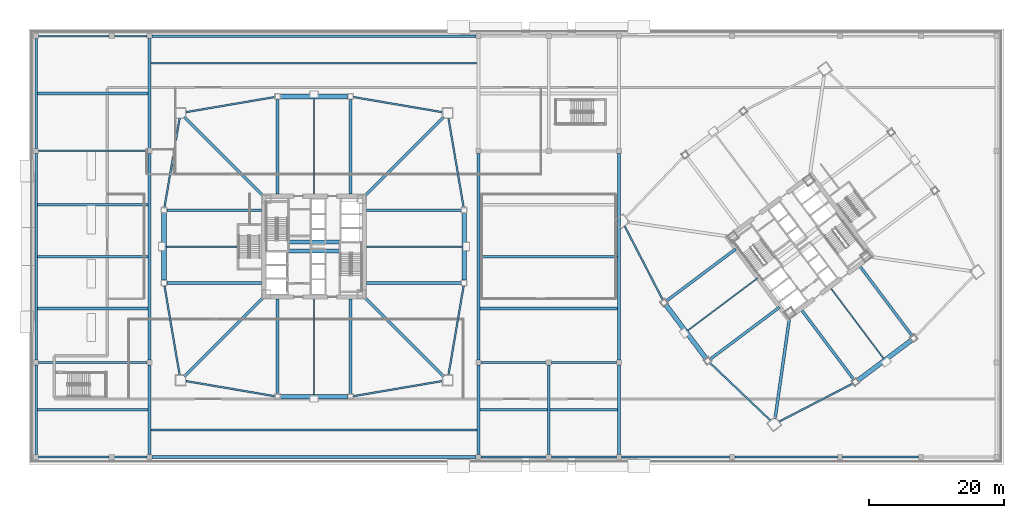
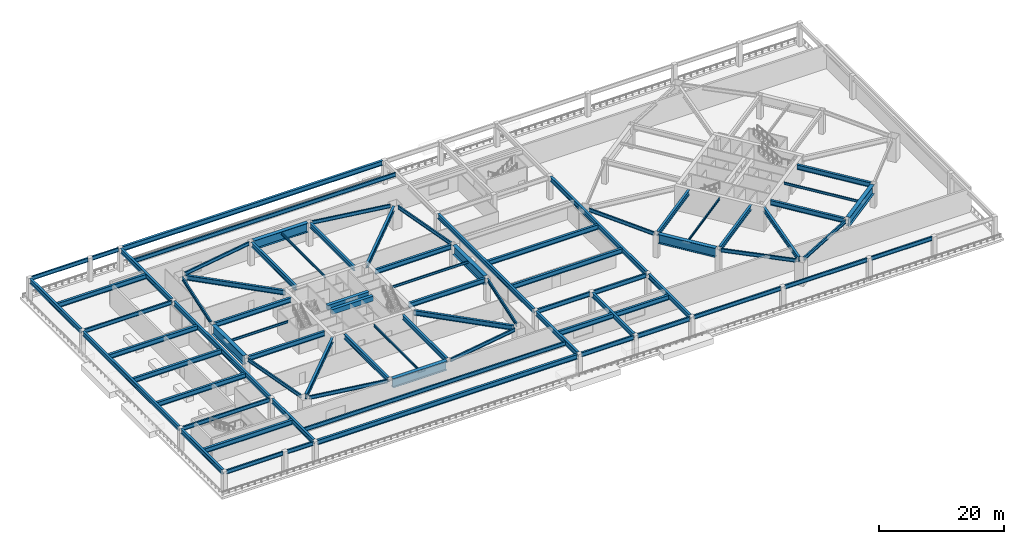
# One storey, part 3 of 21: 78 beams.
"""IFC4 building model written with IfcOpenShell, lengths in metres."""

from ifc_helpers import new_model, si_unit, direction, frame, origin, origin_2d, place, context, subcontext, project, spatial, rectangle, i_section, extrude, material, material_profile, profile_set, type_object, element, save


model = new_model("IFC4")

# Units and contexts
model_context = context("Model", 3, precision=1e-05, world=origin(), true_north=direction((0.0, 1.0)))
body_context = subcontext(model_context, "Body", "Model", "MODEL_VIEW")
ifc_project = project(units=[si_unit("LENGTHUNIT", "METRE"), si_unit("AREAUNIT", "SQUARE_METRE"), si_unit("VOLUMEUNIT", "CUBIC_METRE"), si_unit("PLANEANGLEUNIT", "RADIAN"), si_unit("MASSUNIT", "GRAM", prefix="KILO")], contexts=[model_context])

# Site, building, storey
site_placement = place(None, origin())
site = spatial("IfcSite", under=ifc_project, at=site_placement, CompositionType="ELEMENT")
building_placement = place(site_placement, origin())
building = spatial("IfcBuilding", under=site, at=building_placement, Name="Tashvorn Skyway Center", CompositionType="ELEMENT")
storey_placement = place(building_placement, frame((0.0, 0.0, 19.800048828125)))
storey = spatial("IfcBuildingStorey", under=building, at=storey_placement, Name="L04", CompositionType="ELEMENT", Elevation=19.800048828125)

# Beams
ifc_material_1 = material(Name="Steel ASTM A572 Grade 50", Category="steel")
ifc_material_profile_1 = material_profile(ifc_material_1, i_section(OverallWidth=0.699951171875, OverallDepth=1.800048828125, WebThickness=0.031982421875, FlangeThickness=0.050048828125, at=origin_2d()), Name="PG1800x700")
ifc_profile_set_1 = profile_set([ifc_material_profile_1], Name="Steel ASTM A572 Grade 50")
beam_type_1 = type_object("IfcBeamType", Name="BM-BEAM-PG1800x700", PredefinedType="BEAM", material=ifc_profile_set_1)
for number, where, z_axis, x_axis, name in (
    (1, (37.02001953125, 9.75, 3.699951171875), (1.0, 0.0, 0.0), (0.0, 1.0, 0.0), "Tower 1 L04 Spandrel Beam 02"),
    (2, (64.25, 27.02001953125, 3.699951171875), (0.0, 1.0, 0.0), (-1.0, 0.0, 0.0), "Tower 1 L04 Spandrel Beam 05"),
    (3, (46.97998046875, 54.25, 3.699951171875), (-1.0, 0.0, 0.0), (0.0, -1.0, 0.0), "Tower 1 L04 Spandrel Beam 08"),
    (4, (19.75, 36.97998046875, 3.699951171875), (0.0, -1.0, 0.0), (1.0, 0.0, 0.0), "Tower 1 L04 Spandrel Beam 11"),
    (5, (122.64599609375, 12.172119140625, 3.699951171875), (0.800008824351, 0.599988234018, 0.0), (-0.599988234018, 0.800008824351, 0.0), "Tower 2 L04 Spandrel Beam 02"),
    (6, (94.172119140625, 23.35400390625, 3.699951171875), (0.599988234018, -0.800008824351, 0.0), (0.800008824351, 0.599988234018, 0.0), "Tower 2 L04 Spandrel Beam 11"),
):
    element("IfcBeam", number, at=place(storey_placement, frame(where, z_axis=z_axis, x_axis=x_axis)), inside=storey, type_object=beam_type_1, Name=name, PredefinedType="BEAM", context=body_context, shape_type="SweptSolid", body=[
        extrude(i_section(OverallWidth=0.699951171875, OverallDepth=1.800048828125, WebThickness=0.031982421875, FlangeThickness=0.050048828125, at=origin_2d()), origin(), (0.0, 0.0, 1.0), 9.9599609375),
    ])
ifc_material_2 = material(Name="Steel ASTM A992 Grade 50", Category="steel")
ifc_material_profile_2 = material_profile(ifc_material_2, i_section(OverallWidth=0.26708984375, OverallDepth=0.779052734375, WebThickness=0.0166015625, FlangeThickness=0.030029296875, at=origin_2d()), Name="W30X148")
ifc_profile_set_2 = profile_set([ifc_material_profile_2], Name="Steel ASTM A992 Grade 50")
beam_type_2 = type_object("IfcBeamType", Name="BM-BEAM-W30X148", PredefinedType="BEAM", material=ifc_profile_set_2)
beam_1_placement = place(storey_placement, frame((1.169921875, 0.800048828125, 4.21044921875), z_axis=(1.0, 0.0, 0.0), x_axis=(0.0, 1.0, 0.0)))
element("IfcBeam", 7, at=beam_1_placement, inside=storey, type_object=beam_type_2, Name="L04 West Edge Girder A 01", PredefinedType="BEAM", context=body_context, shape_type="SweptSolid", body=[
    extrude(i_section(OverallWidth=0.26708984375, OverallDepth=0.779052734375, WebThickness=0.0166015625, FlangeThickness=0.030029296875, at=origin_2d()), origin(), (0.0, 0.0, 1.0), 10.4599609375),
])
beam_2_placement = place(storey_placement, frame((12.3701171875, 0.800048828125, 4.21044921875), z_axis=(1.0, 0.0, 0.0), x_axis=(0.0, 1.0, 0.0)))
element("IfcBeam", 8, at=beam_2_placement, inside=storey, type_object=beam_type_2, Name="L04 West Edge Girder B 01", PredefinedType="BEAM", context=body_context, shape_type="SweptSolid", body=[
    extrude(i_section(OverallWidth=0.26708984375, OverallDepth=0.779052734375, WebThickness=0.0166015625, FlangeThickness=0.030029296875, at=origin_2d()), origin(), (0.0, 0.0, 1.0), 4.85986328125),
])
for number, where, z_axis, x_axis, name in (
    (9, (1.169921875, 14.800048828125, 4.21044921875), (1.0, 0.0, 0.0), (0.0, 1.0, 0.0), "L04 West Auditorium Span Girder 03"),
    (10, (1.169921875, 46.199951171875, 4.21044921875), (1.0, 0.0, 0.0), (0.0, 1.0, 0.0), "L04 West Auditorium Span Girder 07"),
):
    element("IfcBeam", number, at=place(storey_placement, frame(where, z_axis=z_axis, x_axis=x_axis)), inside=storey, type_object=beam_type_2, Name=name, PredefinedType="BEAM", context=body_context, shape_type="SweptSolid", body=[
        extrude(i_section(OverallWidth=0.26708984375, OverallDepth=0.779052734375, WebThickness=0.0166015625, FlangeThickness=0.030029296875, at=origin_2d()), origin(), (0.0, 0.0, 1.0), 16.06005859375),
    ])
beam_3_placement = place(storey_placement, frame((1.169921875, 63.199951171875, 4.21044921875), z_axis=(1.0, 0.0, 0.0), x_axis=(0.0, 1.0, 0.0)))
element("IfcBeam", 11, at=beam_3_placement, inside=storey, type_object=beam_type_2, Name="L04 West Edge Girder A 09", PredefinedType="BEAM", context=body_context, shape_type="SweptSolid", body=[
    extrude(i_section(OverallWidth=0.26708984375, OverallDepth=0.779052734375, WebThickness=0.0166015625, FlangeThickness=0.030029296875, at=origin_2d()), origin(), (0.0, 0.0, 1.0), 10.4599609375),
])
beam_4_placement = place(storey_placement, frame((12.3701171875, 63.199951171875, 4.21044921875), z_axis=(1.0, 0.0, 0.0), x_axis=(0.0, 1.0, 0.0)))
element("IfcBeam", 12, at=beam_4_placement, inside=storey, type_object=beam_type_2, Name="L04 West Edge Girder B 09", PredefinedType="BEAM", context=body_context, shape_type="SweptSolid", body=[
    extrude(i_section(OverallWidth=0.26708984375, OverallDepth=0.779052734375, WebThickness=0.0166015625, FlangeThickness=0.030029296875, at=origin_2d()), origin(), (0.0, 0.0, 1.0), 4.85986328125),
])
beam_5_placement = place(storey_placement, frame((87.580078125, 0.800048828125, 4.21044921875), z_axis=(1.0, 0.0, 0.0), x_axis=(0.0, 1.0, 0.0)))
element("IfcBeam", 13, at=beam_5_placement, inside=storey, type_object=beam_type_2, Name="L04 East Podium Edge Girder S1", PredefinedType="BEAM", context=body_context, shape_type="SweptSolid", body=[
    extrude(i_section(OverallWidth=0.26708984375, OverallDepth=0.779052734375, WebThickness=0.0166015625, FlangeThickness=0.030029296875, at=origin_2d()), origin(), (0.0, 0.0, 1.0), 16.0400390625),
])
beam_6_placement = place(storey_placement, frame((104.3798828125, 0.800048828125, 4.21044921875), z_axis=(1.0, 0.0, 0.0), x_axis=(0.0, 1.0, 0.0)))
element("IfcBeam", 14, at=beam_6_placement, inside=storey, type_object=beam_type_2, Name="L04 East Podium Edge Girder S2", PredefinedType="BEAM", context=body_context, shape_type="SweptSolid", body=[
    extrude(i_section(OverallWidth=0.26708984375, OverallDepth=0.779052734375, WebThickness=0.0166015625, FlangeThickness=0.030029296875, at=origin_2d()), origin(), (0.0, 0.0, 1.0), 15.240234375),
])
beam_7_placement = place(storey_placement, frame((120.3798828125, 0.800048828125, 4.21044921875), z_axis=(1.0, 0.0, 0.0), x_axis=(0.0, 1.0, 0.0)))
element("IfcBeam", 15, at=beam_7_placement, inside=storey, type_object=beam_type_2, Name="L04 East Podium Edge Girder S3", PredefinedType="BEAM", context=body_context, shape_type="SweptSolid", body=[
    extrude(i_section(OverallWidth=0.26708984375, OverallDepth=0.779052734375, WebThickness=0.0166015625, FlangeThickness=0.030029296875, at=origin_2d()), origin(), (0.0, 0.0, 1.0), 11.240234375),
])
for number, where, z_axis, x_axis, name in (
    (16, (17.801513671875, 4.800048828125, 4.21044921875), (1.0, 0.0, 0.0), (0.0, 1.0, 0.0), "L04 Podium Deck Secondary Girder S2"),
    (17, (17.801513671875, 59.199951171875, 4.21044921875), (1.0, 0.0, 0.0), (0.0, 1.0, 0.0), "L04 Podium Deck Secondary Girder N1"),
):
    element("IfcBeam", number, at=place(storey_placement, frame(where, z_axis=z_axis, x_axis=x_axis)), inside=storey, type_object=beam_type_2, Name=name, PredefinedType="BEAM", context=body_context, shape_type="SweptSolid", body=[
        extrude(i_section(OverallWidth=0.26708984375, OverallDepth=0.779052734375, WebThickness=0.0166015625, FlangeThickness=0.030029296875, at=origin_2d()), origin(), (0.0, 0.0, 1.0), 48.39697265625),
    ])
ifc_material_profile_3 = material_profile(ifc_material_2, i_section(OverallWidth=0.2919921875, OverallDepth=0.85888671875, WebThickness=0.01708984375, FlangeThickness=0.031005859375, at=origin_2d()), Name="W33X169")
ifc_profile_set_3 = profile_set([ifc_material_profile_3], Name="Steel ASTM A992 Grade 50")
beam_type_3 = type_object("IfcBeamType", Name="BM-BEAM-W33X169", PredefinedType="BEAM", material=ifc_profile_set_3)
beam_8_placement = place(storey_placement, frame((66.77001953125, 0.800048828125, 4.17041015625), z_axis=(1.0, 0.0, 0.0), x_axis=(0.0, 1.0, 0.0)))
element("IfcBeam", 18, at=beam_8_placement, inside=storey, type_object=beam_type_3, Name="L04 Central Podium Girder A 01", PredefinedType="BEAM", context=body_context, shape_type="SweptSolid", body=[
    extrude(i_section(OverallWidth=0.2919921875, OverallDepth=0.85888671875, WebThickness=0.01708984375, FlangeThickness=0.031005859375, at=origin_2d()), origin(), (0.0, 0.0, 1.0), 9.659912109375),
])
beam_9_placement = place(storey_placement, frame((77.169921875, 0.800048828125, 4.17041015625), z_axis=(1.0, 0.0, 0.0), x_axis=(0.0, 1.0, 0.0)))
element("IfcBeam", 19, at=beam_9_placement, inside=storey, type_object=beam_type_3, Name="L04 Central Podium Girder B 01", PredefinedType="BEAM", context=body_context, shape_type="SweptSolid", body=[
    extrude(i_section(OverallWidth=0.2919921875, OverallDepth=0.85888671875, WebThickness=0.01708984375, FlangeThickness=0.031005859375, at=origin_2d()), origin(), (0.0, 0.0, 1.0), 9.66015625),
])
beam_10_placement = place(storey_placement, frame((66.77001953125, 14.800048828125, 4.17041015625), z_axis=(1.0, 0.0, 0.0), x_axis=(0.0, 1.0, 0.0)))
element("IfcBeam", 20, at=beam_10_placement, inside=storey, type_object=beam_type_3, Name="L04 Central Podium Girder A 03", PredefinedType="BEAM", context=body_context, shape_type="SweptSolid", body=[
    extrude(i_section(OverallWidth=0.2919921875, OverallDepth=0.85888671875, WebThickness=0.01708984375, FlangeThickness=0.031005859375, at=origin_2d()), origin(), (0.0, 0.0, 1.0), 9.659912109375),
])
beam_11_placement = place(storey_placement, frame((77.169921875, 14.800048828125, 4.17041015625), z_axis=(1.0, 0.0, 0.0), x_axis=(0.0, 1.0, 0.0)))
element("IfcBeam", 21, at=beam_11_placement, inside=storey, type_object=beam_type_3, Name="L04 Central Podium Girder B 03", PredefinedType="BEAM", context=body_context, shape_type="SweptSolid", body=[
    extrude(i_section(OverallWidth=0.2919921875, OverallDepth=0.85888671875, WebThickness=0.01708984375, FlangeThickness=0.031005859375, at=origin_2d()), origin(), (0.0, 0.0, 1.0), 9.66015625),
])
ifc_material_3 = material(Name="Steel ASTM A913 Grade 65", Category="steel")
ifc_material_profile_4 = material_profile(ifc_material_3, i_section(OverallWidth=0.4189453125, OverallDepth=0.927001953125, WebThickness=0.019287109375, FlangeThickness=0.031982421875, at=origin_2d()), Name="W36X231")
ifc_profile_set_4 = profile_set([ifc_material_profile_4], Name="Steel ASTM A913 Grade 65")
beam_type_4 = type_object("IfcBeamType", Name="BM-BEAM-W36X231", PredefinedType="BEAM", material=ifc_profile_set_4)
for number, where, z_axis, x_axis, name in (
    (22, (22.76220703125, 12.76220703125, 4.136474609375), (0.707106781187, 0.707106781187, 0.0), (-0.707106781187, 0.707106781187, 0.0), "Tower 1 L04 Primary Floor Girder MC-SW"),
    (23, (61.23779296875, 12.76220703125, 4.136474609375), (-0.707106781187, 0.707106781187, 0.0), (-0.707106781187, -0.707106781187, 0.0), "Tower 1 L04 Primary Floor Girder MC-SE"),
    (24, (61.23779296875, 51.23779296875, 4.136474609375), (-0.707106781187, -0.707106781187, 0.0), (0.707106781187, -0.707106781187, 0.0), "Tower 1 L04 Primary Floor Girder MC-NE"),
    (25, (22.76220703125, 51.23779296875, 4.136474609375), (0.707106781187, -0.707106781187, 0.0), (0.707106781187, 0.707106781187, 0.0), "Tower 1 L04 Primary Floor Girder MC-NW"),
):
    element("IfcBeam", number, at=place(storey_placement, frame(where, z_axis=z_axis, x_axis=x_axis)), inside=storey, type_object=beam_type_4, Name=name, PredefinedType="BEAM", context=body_context, shape_type="SweptSolid", body=[
        extrude(i_section(OverallWidth=0.4189453125, OverallDepth=0.927001953125, WebThickness=0.019287109375, FlangeThickness=0.031982421875, at=origin_2d()), origin(), (0.0, 0.0, 1.0), 16.591064453125),
    ])
for number, where, z_axis, x_axis, name in (
    (26, (36.60009765625, 10.169921875, 4.136474609375), (0.0, 1.0, 0.0), (-1.0, 0.0, 0.0), "Tower 1 L04 Primary Floor Girder FC-S1"),
    (27, (47.39990234375, 10.169921875, 4.136474609375), (0.0, 1.0, 0.0), (-1.0, 0.0, 0.0), "Tower 1 L04 Primary Floor Girder FC-S2"),
    (28, (63.830078125, 26.60009765625, 4.136474609375), (-1.0, 0.0, 0.0), (0.0, -1.0, 0.0), "Tower 1 L04 Primary Floor Girder FC-E1"),
    (29, (63.830078125, 37.39990234375, 4.136474609375), (-1.0, 0.0, 0.0), (0.0, -1.0, 0.0), "Tower 1 L04 Primary Floor Girder FC-E2"),
    (30, (47.39990234375, 53.830078125, 4.136474609375), (0.0, -1.0, 0.0), (1.0, 0.0, 0.0), "Tower 1 L04 Primary Floor Girder FC-N1"),
    (31, (36.60009765625, 53.830078125, 4.136474609375), (0.0, -1.0, 0.0), (1.0, 0.0, 0.0), "Tower 1 L04 Primary Floor Girder FC-N2"),
    (32, (20.169921875, 37.39990234375, 4.136474609375), (1.0, 0.0, 0.0), (0.0, 1.0, 0.0), "Tower 1 L04 Primary Floor Girder FC-W1"),
    (33, (20.169921875, 26.60009765625, 4.136474609375), (1.0, 0.0, 0.0), (0.0, 1.0, 0.0), "Tower 1 L04 Primary Floor Girder FC-W2"),
):
    element("IfcBeam", number, at=place(storey_placement, frame(where, z_axis=z_axis, x_axis=x_axis)), inside=storey, type_object=beam_type_4, Name=name, PredefinedType="BEAM", context=body_context, shape_type="SweptSolid", body=[
        extrude(i_section(OverallWidth=0.4189453125, OverallDepth=0.927001953125, WebThickness=0.019287109375, FlangeThickness=0.031982421875, at=origin_2d()), origin(), (0.0, 0.0, 1.0), 14.050048828125),
    ])
beam_12_placement = place(storey_placement, frame((110.3525390625, 6.467041015625, 4.136474609375), z_axis=(0.141414599991, 0.989950458816, 0.0), x_axis=(-0.989950458816, 0.141414599991, 0.0)))
element("IfcBeam", 34, at=beam_12_placement, inside=storey, type_object=beam_type_4, Name="Tower 2 L04 Primary Floor Girder MC-SW", PredefinedType="BEAM", context=body_context, shape_type="SweptSolid", body=[
    extrude(i_section(OverallWidth=0.4189453125, OverallDepth=0.927001953125, WebThickness=0.019287109375, FlangeThickness=0.031982421875, at=origin_2d()), origin(), (0.0, 0.0, 1.0), 15.177001953125),
])
beam_13_placement = place(storey_placement, frame((122.05810546875, 12.256103515625, 4.136474609375), z_axis=(-0.600018239213, 0.799986320265, 0.0), x_axis=(-0.799986320265, -0.600018239213, 0.0)))
element("IfcBeam", 35, at=beam_13_placement, inside=storey, type_object=beam_type_4, Name="Tower 2 L04 Primary Floor Girder FC-S1", PredefinedType="BEAM", context=body_context, shape_type="SweptSolid", body=[
    extrude(i_section(OverallWidth=0.4189453125, OverallDepth=0.927001953125, WebThickness=0.019287109375, FlangeThickness=0.031982421875, at=origin_2d()), origin(), (0.0, 0.0, 1.0), 12.849853515625),
])
beam_14_placement = place(storey_placement, frame((130.697998046875, 18.736083984375, 4.136474609375), z_axis=(-0.599996960112, 0.800002279907, 0.0), x_axis=(-0.800002279907, -0.599996960112, 0.0)))
element("IfcBeam", 36, at=beam_14_placement, inside=storey, type_object=beam_type_4, Name="Tower 2 L04 Primary Floor Girder FC-S2", PredefinedType="BEAM", context=body_context, shape_type="SweptSolid", body=[
    extrude(i_section(OverallWidth=0.4189453125, OverallDepth=0.927001953125, WebThickness=0.019287109375, FlangeThickness=0.031982421875, at=origin_2d()), origin(), (0.0, 0.0, 1.0), 12.85009765625),
])
beam_15_placement = place(storey_placement, frame((94.256103515625, 23.94189453125, 4.136474609375), z_axis=(0.799986320265, 0.600018239213, 0.0), x_axis=(-0.600018239213, 0.799986320265, 0.0)))
element("IfcBeam", 37, at=beam_15_placement, inside=storey, type_object=beam_type_4, Name="Tower 2 L04 Primary Floor Girder FC-W1", PredefinedType="BEAM", context=body_context, shape_type="SweptSolid", body=[
    extrude(i_section(OverallWidth=0.4189453125, OverallDepth=0.927001953125, WebThickness=0.019287109375, FlangeThickness=0.031982421875, at=origin_2d()), origin(), (0.0, 0.0, 1.0), 12.849853515625),
])
beam_16_placement = place(storey_placement, frame((100.736083984375, 15.302001953125, 4.136474609375), z_axis=(0.800002279907, 0.599996960112, 0.0), x_axis=(-0.599996960112, 0.800002279907, 0.0)))
element("IfcBeam", 38, at=beam_16_placement, inside=storey, type_object=beam_type_4, Name="Tower 2 L04 Primary Floor Girder FC-W2", PredefinedType="BEAM", context=body_context, shape_type="SweptSolid", body=[
    extrude(i_section(OverallWidth=0.4189453125, OverallDepth=0.927001953125, WebThickness=0.019287109375, FlangeThickness=0.031982421875, at=origin_2d()), origin(), (0.0, 0.0, 1.0), 12.85009765625),
])
beam_17_placement = place(storey_placement, frame((0.800048828125, 1.169921875, 4.136474609375), z_axis=(0.0, 1.0, 0.0), x_axis=(-1.0, 0.0, 0.0)))
element("IfcBeam", 39, at=beam_17_placement, inside=storey, type_object=beam_type_4, Name="L04 North-South Podium Girder 01-S", PredefinedType="BEAM", context=body_context, shape_type="SweptSolid", body=[
    extrude(i_section(OverallWidth=0.4189453125, OverallDepth=0.927001953125, WebThickness=0.019287109375, FlangeThickness=0.031982421875, at=origin_2d()), origin(), (0.0, 0.0, 1.0), 13.260009765625),
])
beam_18_placement = place(storey_placement, frame((0.800048828125, 15.169921875, 4.136474609375), z_axis=(0.0, 1.0, 0.0), x_axis=(-1.0, 0.0, 0.0)))
element("IfcBeam", 40, at=beam_18_placement, inside=storey, type_object=beam_type_4, Name="L04 North-South Podium Girder 01-M", PredefinedType="BEAM", context=body_context, shape_type="SweptSolid", body=[
    extrude(i_section(OverallWidth=0.4189453125, OverallDepth=0.927001953125, WebThickness=0.019287109375, FlangeThickness=0.031982421875, at=origin_2d()), origin(), (0.0, 0.0, 1.0), 30.66015625),
])
beam_19_placement = place(storey_placement, frame((0.800048828125, 46.570068359375, 4.136474609375), z_axis=(0.0, 1.0, 0.0), x_axis=(-1.0, 0.0, 0.0)))
element("IfcBeam", 41, at=beam_19_placement, inside=storey, type_object=beam_type_4, Name="L04 North-South Podium Girder 01-N", PredefinedType="BEAM", context=body_context, shape_type="SweptSolid", body=[
    extrude(i_section(OverallWidth=0.4189453125, OverallDepth=0.927001953125, WebThickness=0.019287109375, FlangeThickness=0.031982421875, at=origin_2d()), origin(), (0.0, 0.0, 1.0), 16.260009765625),
])
beam_20_placement = place(storey_placement, frame((17.60009765625, 1.169921875, 4.136474609375), z_axis=(0.0, 1.0, 0.0), x_axis=(-1.0, 0.0, 0.0)))
element("IfcBeam", 42, at=beam_20_placement, inside=storey, type_object=beam_type_4, Name="L04 North-South Podium Girder 02-S", PredefinedType="BEAM", context=body_context, shape_type="SweptSolid", body=[
    extrude(i_section(OverallWidth=0.4189453125, OverallDepth=0.927001953125, WebThickness=0.019287109375, FlangeThickness=0.031982421875, at=origin_2d()), origin(), (0.0, 0.0, 1.0), 13.260009765625),
])
beam_21_placement = place(storey_placement, frame((17.60009765625, 15.169921875, 4.136474609375), z_axis=(0.0, 1.0, 0.0), x_axis=(-1.0, 0.0, 0.0)))
element("IfcBeam", 43, at=beam_21_placement, inside=storey, type_object=beam_type_4, Name="L04 North-South Podium Girder 02-M", PredefinedType="BEAM", context=body_context, shape_type="SweptSolid", body=[
    extrude(i_section(OverallWidth=0.4189453125, OverallDepth=0.927001953125, WebThickness=0.019287109375, FlangeThickness=0.031982421875, at=origin_2d()), origin(), (0.0, 0.0, 1.0), 30.66015625),
])
beam_22_placement = place(storey_placement, frame((17.60009765625, 46.570068359375, 4.136474609375), z_axis=(0.0, 1.0, 0.0), x_axis=(-1.0, 0.0, 0.0)))
element("IfcBeam", 44, at=beam_22_placement, inside=storey, type_object=beam_type_4, Name="L04 North-South Podium Girder 02-N", PredefinedType="BEAM", context=body_context, shape_type="SweptSolid", body=[
    extrude(i_section(OverallWidth=0.4189453125, OverallDepth=0.927001953125, WebThickness=0.019287109375, FlangeThickness=0.031982421875, at=origin_2d()), origin(), (0.0, 0.0, 1.0), 16.260009765625),
])
beam_23_placement = place(storey_placement, frame((66.39990234375, 1.169921875, 4.136474609375), z_axis=(0.0, 1.0, 0.0), x_axis=(-1.0, 0.0, 0.0)))
element("IfcBeam", 45, at=beam_23_placement, inside=storey, type_object=beam_type_4, Name="L04 North-South Podium Girder 03-S", PredefinedType="BEAM", context=body_context, shape_type="SweptSolid", body=[
    extrude(i_section(OverallWidth=0.4189453125, OverallDepth=0.927001953125, WebThickness=0.019287109375, FlangeThickness=0.031982421875, at=origin_2d()), origin(), (0.0, 0.0, 1.0), 13.260009765625),
])
beam_24_placement = place(storey_placement, frame((66.39990234375, 15.169921875, 4.136474609375), z_axis=(0.0, 1.0, 0.0), x_axis=(-1.0, 0.0, 0.0)))
element("IfcBeam", 46, at=beam_24_placement, inside=storey, type_object=beam_type_4, Name="L04 North-South Podium Girder 03-M", PredefinedType="BEAM", context=body_context, shape_type="SweptSolid", body=[
    extrude(i_section(OverallWidth=0.4189453125, OverallDepth=0.927001953125, WebThickness=0.019287109375, FlangeThickness=0.031982421875, at=origin_2d()), origin(), (0.0, 0.0, 1.0), 30.66015625),
])
for number, where, z_axis, x_axis, name in (
    (47, (76.800048828125, 1.169921875, 4.136474609375), (0.0, 1.0, 0.0), (-1.0, 0.0, 0.0), "L04 North-South Podium Girder 04-S"),
    (48, (87.199951171875, 1.169921875, 4.136474609375), (0.0, 1.0, 0.0), (-1.0, 0.0, 0.0), "L04 North-South Podium Girder 05-S"),
):
    element("IfcBeam", number, at=place(storey_placement, frame(where, z_axis=z_axis, x_axis=x_axis)), inside=storey, type_object=beam_type_4, Name=name, PredefinedType="BEAM", context=body_context, shape_type="SweptSolid", body=[
        extrude(i_section(OverallWidth=0.4189453125, OverallDepth=0.927001953125, WebThickness=0.019287109375, FlangeThickness=0.031982421875, at=origin_2d()), origin(), (0.0, 0.0, 1.0), 13.260009765625),
    ])
beam_25_placement = place(storey_placement, frame((87.199951171875, 15.169921875, 4.136474609375), z_axis=(0.0, 1.0, 0.0), x_axis=(-1.0, 0.0, 0.0)))
element("IfcBeam", 49, at=beam_25_placement, inside=storey, type_object=beam_type_4, Name="L04 North-South Podium Girder 05-M", PredefinedType="BEAM", context=body_context, shape_type="SweptSolid", body=[
    extrude(i_section(OverallWidth=0.4189453125, OverallDepth=0.927001953125, WebThickness=0.019287109375, FlangeThickness=0.031982421875, at=origin_2d()), origin(), (0.0, 0.0, 1.0), 30.66015625),
])
beam_26_placement = place(storey_placement, frame((1.00146484375, 7.800048828125, 4.136474609375), z_axis=(1.0, 0.0, 0.0), x_axis=(0.0, 1.0, 0.0)))
element("IfcBeam", 50, at=beam_26_placement, inside=storey, type_object=beam_type_4, Name="L04 West Auditorium Span Girder 02", PredefinedType="BEAM", context=body_context, shape_type="SweptSolid", body=[
    extrude(i_section(OverallWidth=0.4189453125, OverallDepth=0.927001953125, WebThickness=0.019287109375, FlangeThickness=0.031982421875, at=origin_2d()), origin(), (0.0, 0.0, 1.0), 16.39697265625),
])
beam_27_placement = place(storey_placement, frame((66.6015625, 7.800048828125, 4.136474609375), z_axis=(1.0, 0.0, 0.0), x_axis=(0.0, 1.0, 0.0)))
element("IfcBeam", 51, at=beam_27_placement, inside=storey, type_object=beam_type_4, Name="L04 Central Concourse Span Girder 02", PredefinedType="BEAM", context=body_context, shape_type="SweptSolid", body=[
    extrude(i_section(OverallWidth=0.4189453125, OverallDepth=0.927001953125, WebThickness=0.019287109375, FlangeThickness=0.031982421875, at=origin_2d()), origin(), (0.0, 0.0, 1.0), 20.39697265625),
])
beam_28_placement = place(storey_placement, frame((1.00146484375, 22.800048828125, 4.136474609375), z_axis=(1.0, 0.0, 0.0), x_axis=(0.0, 1.0, 0.0)))
element("IfcBeam", 52, at=beam_28_placement, inside=storey, type_object=beam_type_4, Name="L04 West Auditorium Span Girder 04", PredefinedType="BEAM", context=body_context, shape_type="SweptSolid", body=[
    extrude(i_section(OverallWidth=0.4189453125, OverallDepth=0.927001953125, WebThickness=0.019287109375, FlangeThickness=0.031982421875, at=origin_2d()), origin(), (0.0, 0.0, 1.0), 16.39697265625),
])
beam_29_placement = place(storey_placement, frame((66.6015625, 22.800048828125, 4.136474609375), z_axis=(1.0, 0.0, 0.0), x_axis=(0.0, 1.0, 0.0)))
element("IfcBeam", 53, at=beam_29_placement, inside=storey, type_object=beam_type_4, Name="L04 Central Concourse Span Girder 04", PredefinedType="BEAM", context=body_context, shape_type="SweptSolid", body=[
    extrude(i_section(OverallWidth=0.4189453125, OverallDepth=0.927001953125, WebThickness=0.019287109375, FlangeThickness=0.031982421875, at=origin_2d()), origin(), (0.0, 0.0, 1.0), 20.39697265625),
])
beam_30_placement = place(storey_placement, frame((1.00146484375, 30.5, 4.136474609375), z_axis=(1.0, 0.0, 0.0), x_axis=(0.0, 1.0, 0.0)))
element("IfcBeam", 54, at=beam_30_placement, inside=storey, type_object=beam_type_4, Name="L04 West Auditorium Span Girder 05", PredefinedType="BEAM", context=body_context, shape_type="SweptSolid", body=[
    extrude(i_section(OverallWidth=0.4189453125, OverallDepth=0.927001953125, WebThickness=0.019287109375, FlangeThickness=0.031982421875, at=origin_2d()), origin(), (0.0, 0.0, 1.0), 16.39697265625),
])
beam_31_placement = place(storey_placement, frame((66.6015625, 30.5, 4.136474609375), z_axis=(1.0, 0.0, 0.0), x_axis=(0.0, 1.0, 0.0)))
element("IfcBeam", 55, at=beam_31_placement, inside=storey, type_object=beam_type_4, Name="L04 Central Concourse Span Girder 05", PredefinedType="BEAM", context=body_context, shape_type="SweptSolid", body=[
    extrude(i_section(OverallWidth=0.4189453125, OverallDepth=0.927001953125, WebThickness=0.019287109375, FlangeThickness=0.031982421875, at=origin_2d()), origin(), (0.0, 0.0, 1.0), 20.39697265625),
])
for number, where, z_axis, x_axis, name in (
    (56, (1.00146484375, 38.199951171875, 4.136474609375), (1.0, 0.0, 0.0), (0.0, 1.0, 0.0), "L04 West Auditorium Span Girder 06"),
    (57, (1.00146484375, 54.699951171875, 4.136474609375), (1.0, 0.0, 0.0), (0.0, 1.0, 0.0), "L04 West Auditorium Span Girder 08"),
):
    element("IfcBeam", number, at=place(storey_placement, frame(where, z_axis=z_axis, x_axis=x_axis)), inside=storey, type_object=beam_type_4, Name=name, PredefinedType="BEAM", context=body_context, shape_type="SweptSolid", body=[
        extrude(i_section(OverallWidth=0.4189453125, OverallDepth=0.927001953125, WebThickness=0.019287109375, FlangeThickness=0.031982421875, at=origin_2d()), origin(), (0.0, 0.0, 1.0), 16.39697265625),
    ])
for number, where, z_axis, x_axis, name in (
    (58, (17.97998046875, 0.800048828125, 4.136474609375), (1.0, 0.0, 0.0), (0.0, 1.0, 0.0), "L04 Podium Perimeter Girder S1"),
    (59, (17.97998046875, 63.199951171875, 4.136474609375), (1.0, 0.0, 0.0), (0.0, 1.0, 0.0), "L04 Podium Perimeter Girder N2"),
):
    element("IfcBeam", number, at=place(storey_placement, frame(where, z_axis=z_axis, x_axis=x_axis)), inside=storey, type_object=beam_type_4, Name=name, PredefinedType="BEAM", context=body_context, shape_type="SweptSolid", body=[
        extrude(i_section(OverallWidth=0.4189453125, OverallDepth=0.927001953125, WebThickness=0.019287109375, FlangeThickness=0.031982421875, at=origin_2d()), origin(), (0.0, 0.0, 1.0), 48.0400390625),
    ])
ifc_material_profile_5 = material_profile(ifc_material_2, i_section(OverallWidth=0.19091796875, OverallDepth=0.4599609375, WebThickness=0.010009765625, FlangeThickness=0.01611328125, at=origin_2d()), Name="W18X55")
ifc_profile_set_5 = profile_set([ifc_material_profile_5], Name="Steel ASTM A992 Grade 50")
beam_type_5 = type_object("IfcBeamType", Name="BM-JOIST-W18X55", PredefinedType="JOIST", material=ifc_profile_set_5)
for number, where, z_axis, x_axis, name in (
    (60, (42.0, 24.2099609375, 4.369873046875), (0.0, -1.0, 0.0), (1.0, 0.0, 0.0), "Tower 1 L04 Secondary Composite Joist JS"),
    (61, (42.0, 39.7900390625, 4.369873046875), (0.0, 1.0, 0.0), (-1.0, 0.0, 0.0), "Tower 1 L04 Secondary Composite Joist JN"),
    (62, (49.7900390625, 32.0, 4.369873046875), (1.0, 0.0, 0.0), (0.0, 1.0, 0.0), "Tower 1 L04 Secondary Composite Joist JE"),
):
    element("IfcBeam", number, at=place(storey_placement, frame(where, z_axis=z_axis, x_axis=x_axis)), inside=storey, type_object=beam_type_5, Name=name, PredefinedType="JOIST", context=body_context, shape_type="SweptSolid", body=[
        extrude(i_section(OverallWidth=0.19091796875, OverallDepth=0.4599609375, WebThickness=0.010009765625, FlangeThickness=0.01611328125, at=origin_2d()), origin(), (0.0, 0.0, 1.0), 14.117919921875),
    ])
beam_32_placement = place(storey_placement, frame((30.610107421875, 32.0, 4.369873046875), z_axis=(-1.0, 0.0, 0.0), x_axis=(0.0, -1.0, 0.0)))
element("IfcBeam", 63, at=beam_32_placement, inside=storey, type_object=beam_type_5, Name="Tower 1 L04 Secondary Composite Joist JW", PredefinedType="JOIST", context=body_context, shape_type="SweptSolid", body=[
    extrude(i_section(OverallWidth=0.19091796875, OverallDepth=0.4599609375, WebThickness=0.010009765625, FlangeThickness=0.01611328125, at=origin_2d()), origin(), (0.0, 0.0, 1.0), 10.51806640625),
])
for number, where, z_axis, x_axis, name in (
    (64, (118.674072265625, 25.76806640625, 4.369873046875), (0.599993952228, -0.800004535793, 0.0), (0.800004535793, 0.599993952228, 0.0), "Tower 2 L04 Secondary Composite Joist JS"),
    (65, (107.76806640625, 27.325927734375, 4.369873046875), (-0.800004535793, -0.599993952228, 0.0), (0.599993952228, -0.800004535793, 0.0), "Tower 2 L04 Secondary Composite Joist JW"),
):
    element("IfcBeam", number, at=place(storey_placement, frame(where, z_axis=z_axis, x_axis=x_axis)), inside=storey, type_object=beam_type_5, Name=name, PredefinedType="JOIST", context=body_context, shape_type="SweptSolid", body=[
        extrude(i_section(OverallWidth=0.19091796875, OverallDepth=0.4599609375, WebThickness=0.010009765625, FlangeThickness=0.01611328125, at=origin_2d()), origin(), (0.0, 0.0, 1.0), 12.91796875),
    ])
ifc_material_4 = material(Name="Concrete C60/75", Category="concrete")
ifc_material_profile_6 = material_profile(ifc_material_4, rectangle(XDim=0.60009765625, YDim=0.949951171875, at=origin_2d()), Name="RCB600x950")
ifc_profile_set_6 = profile_set([ifc_material_profile_6], Name="Concrete C60/75")
beam_type_6 = type_object("IfcBeamType", Name="BM-LINTEL-RCB600x950", PredefinedType="LINTEL", material=ifc_profile_set_6)
for number, where, z_axis, x_axis, name in (
    (66, (38.199951171875, 32.679931640625, 4.125), (1.0, 0.0, 0.0), (0.0, 1.0, 0.0), "Tower 1 L04 Core Coupling Beam CN"),
    (67, (38.199951171875, 31.320068359375, 4.125), (1.0, 0.0, 0.0), (0.0, 1.0, 0.0), "Tower 1 L04 Core Coupling Beam CS"),
):
    element("IfcBeam", number, at=place(storey_placement, frame(where, z_axis=z_axis, x_axis=x_axis)), inside=storey, type_object=beam_type_6, Name=name, PredefinedType="LINTEL", context=body_context, shape_type="SweptSolid", body=[
        extrude(rectangle(XDim=0.60009765625, YDim=0.949951171875, at=origin_2d()), origin(), (0.0, 0.0, 1.0), 7.60009765625),
    ])
ifc_material_profile_7 = material_profile(ifc_material_2, i_section(OverallWidth=0.256103515625, OverallDepth=0.693115234375, WebThickness=0.014404296875, FlangeThickness=0.023681640625, at=origin_2d()), Name="W27X114")
ifc_profile_set_7 = profile_set([ifc_material_profile_7], Name="Steel ASTM A992 Grade 50")
beam_type_7 = type_object("IfcBeamType", Name="BM-SPANDREL-W27X114", PredefinedType="SPANDREL", material=ifc_profile_set_7)
for number, where, z_axis, x_axis, name in (
    (68, (22.983642578125, 12.066650390625, 4.25341796875), (0.985835025551, -0.16771792509, 0.0), (0.16771792509, 0.985835025551, 0.0), "Tower 1 L04 Spandrel Beam 01"),
    (69, (47.81396484375, 9.820556640625, 4.25341796875), (0.985835025551, 0.16771792509, 0.0), (-0.16771792509, 0.985835025551, 0.0), "Tower 1 L04 Spandrel Beam 03"),
    (70, (61.933349609375, 12.983642578125, 4.25341796875), (0.16771792509, 0.985835025551, 0.0), (-0.985835025551, 0.16771792509, 0.0), "Tower 1 L04 Spandrel Beam 04"),
    (71, (64.179443359375, 37.81396484375, 4.25341796875), (-0.16771792509, 0.985835025551, 0.0), (-0.985835025551, -0.16771792509, 0.0), "Tower 1 L04 Spandrel Beam 06"),
    (72, (61.016357421875, 51.933349609375, 4.25341796875), (-0.985835025551, 0.16771792509, 0.0), (-0.16771792509, -0.985835025551, 0.0), "Tower 1 L04 Spandrel Beam 07"),
    (73, (36.18603515625, 54.179443359375, 4.25341796875), (-0.985835025551, -0.16771792509, 0.0), (0.16771792509, -0.985835025551, 0.0), "Tower 1 L04 Spandrel Beam 09"),
    (74, (22.066650390625, 51.016357421875, 4.25341796875), (-0.16771792509, -0.985835025551, 0.0), (0.985835025551, -0.16771792509, 0.0), "Tower 1 L04 Spandrel Beam 10"),
    (75, (19.820556640625, 26.18603515625, 4.25341796875), (0.16771792509, -0.985835025551, 0.0), (0.985835025551, 0.16771792509, 0.0), "Tower 1 L04 Spandrel Beam 12"),
):
    element("IfcBeam", number, at=place(storey_placement, frame(where, z_axis=z_axis, x_axis=x_axis)), inside=storey, type_object=beam_type_7, Name=name, PredefinedType="SPANDREL", context=body_context, shape_type="SweptSolid", body=[
        extrude(i_section(OverallWidth=0.256103515625, OverallDepth=0.693115234375, WebThickness=0.014404296875, FlangeThickness=0.023681640625, at=origin_2d()), origin(), (0.0, 0.0, 1.0), 13.39208984375),
    ])
for number, where, z_axis, x_axis, name in (
    (76, (110.9462890625, 6.045166015625, 4.25341796875), (0.888315637339, 0.459233413919, 0.0), (-0.459233413919, 0.888315637339, 0.0), "Tower 2 L04 Spandrel Beam 01"),
    (77, (88.045166015625, 35.0537109375, 4.25341796875), (0.459233413919, -0.888315637339, 0.0), (0.888315637339, 0.459233413919, 0.0), "Tower 2 L04 Spandrel Beam 10"),
    (78, (100.7041015625, 14.76025390625, 4.25341796875), (0.724200339835, -0.689589637236, 0.0), (0.689589637236, 0.724200339835, 0.0), "Tower 2 L04 Spandrel Beam 12"),
):
    element("IfcBeam", number, at=place(storey_placement, frame(where, z_axis=z_axis, x_axis=x_axis)), inside=storey, type_object=beam_type_7, Name=name, PredefinedType="SPANDREL", context=body_context, shape_type="SweptSolid", body=[
        extrude(i_section(OverallWidth=0.256103515625, OverallDepth=0.693115234375, WebThickness=0.014404296875, FlangeThickness=0.023681640625, at=origin_2d()), origin(), (0.0, 0.0, 1.0), 12.37255859375),
    ])

save(model, "model.ifc")
